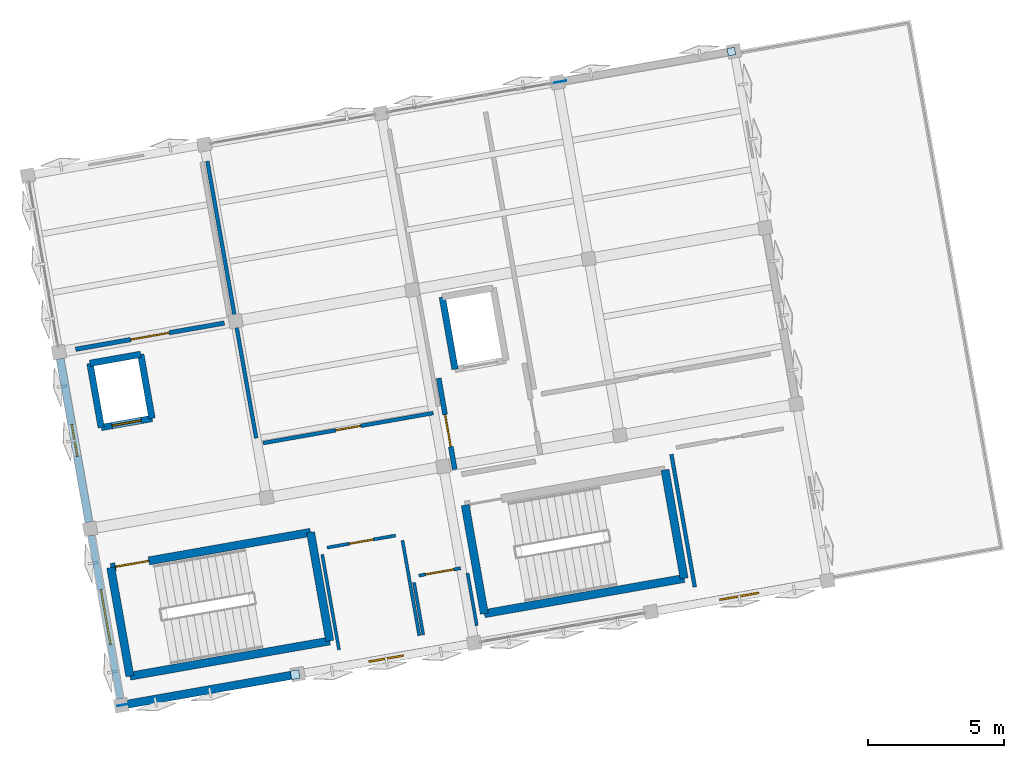
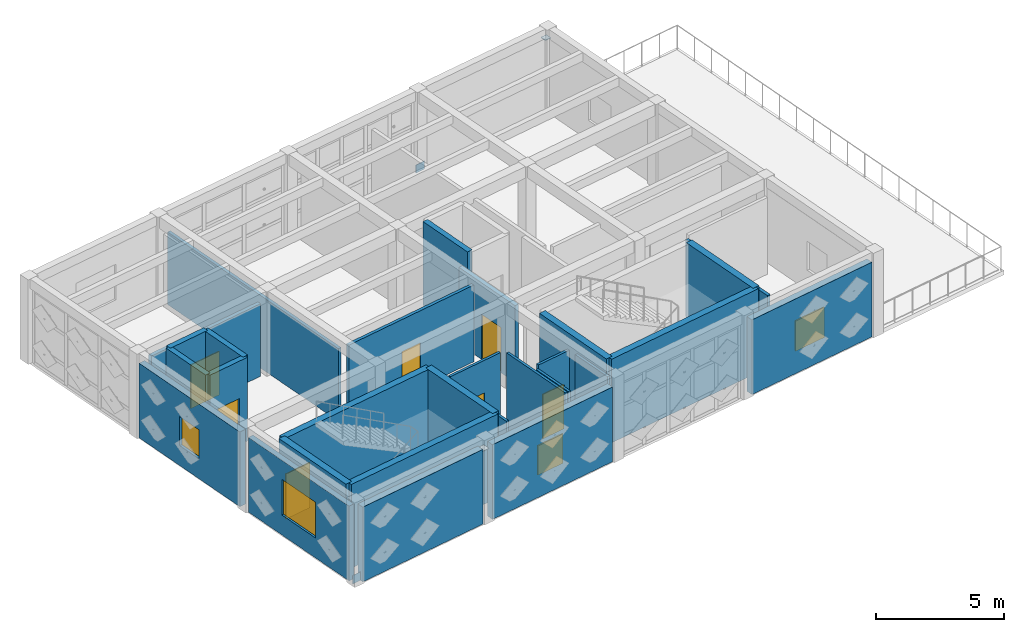
# One storey, part 9 of 13: 28 walls, 7 doors, 4 plates, 4 windows, 11 openings.
"""IFC4 building model written with IfcOpenShell, lengths in metres."""

import ifcopenshell
import ifcopenshell.guid

model = None  # the IFC model being written
_history = None  # IfcOwnerHistory: only IFC2X3 demands one
_inside = {}  # id of a spatial element -> (the spatial element, [elements in it])
_under = {}  # id of a project, library or spatial element -> (it, [spatial elements below it])
_declared = {}  # id of a project -> (the project, [libraries it declares])
_typed = {}  # id of a type object -> (the type object, [elements of that type])
_made_of = {}  # id of a material, layer set ... -> (it, [elements and type objects made of it])


def new_model(schema):
    """Start an empty IFC model of exactly this schema.

    Asked for "IFC4X3", IfcOpenShell would pick the latest addendum, in which some entities
    have other attributes; the version numbers below select the first issue.
    IFC2X3 requires an IfcOwnerHistory on every rooted entity: one is made here for all.
    """
    global model, _history
    if schema == "IFC4X3":
        model = ifcopenshell.file(schema_version=(4, 3, 0, 0))
    else:
        model = ifcopenshell.file(schema=schema)
    _inside.clear()
    _under.clear()
    _declared.clear()
    _typed.clear()
    _made_of.clear()
    _history = None
    if model.schema == "IFC2X3":
        org = make("IfcOrganization", Name="unknown")
        user = make(
            "IfcPersonAndOrganization",
            ThePerson=make("IfcPerson", FamilyName="unknown"),
            TheOrganization=org,
        )
        app = make(
            "IfcApplication",
            ApplicationDeveloper=org,
            Version="unknown",
            ApplicationFullName="unknown",
            ApplicationIdentifier="unknown",
        )
        _history = make(
            "IfcOwnerHistory",
            OwningUser=user,
            OwningApplication=app,
            ChangeAction="ADDED",
            CreationDate=0,
        )
    return model


def make(cls, **values):
    """One entity of the class cls with the attributes given. An attribute that is None is left unset."""
    return model.create_entity(
        cls, **{name: value for name, value in values.items() if value is not None}
    )


def rooted(cls, **values):
    """An entity with a GlobalId (a new one), such as an element, a storey or a relation."""
    return make(cls, GlobalId=ifcopenshell.guid.new(), OwnerHistory=_history, **values)


def si_unit(unit_type, name, prefix=None):
    """IfcSIUnit, for example si_unit("LENGTHUNIT", "METRE", prefix="MILLI")."""
    return make("IfcSIUnit", UnitType=unit_type, Prefix=prefix, Name=name)


def assignment(units):
    """IfcUnitAssignment: the units of a project."""
    return None if units is None else make("IfcUnitAssignment", Units=units)


def point(xyz):
    """IfcCartesianPoint."""
    return None if xyz is None else make("IfcCartesianPoint", Coordinates=xyz)


def direction(xyz):
    """IfcDirection."""
    return None if xyz is None else make("IfcDirection", DirectionRatios=xyz)


def frame(location, z_axis=None, x_axis=None):
    """IfcAxis2Placement3D, a coordinate frame: its origin and axes. An axis left out is left unset."""
    return make(
        "IfcAxis2Placement3D",
        Location=point(location),
        Axis=direction(z_axis),
        RefDirection=direction(x_axis),
    )


def frame_2d(location, x_axis=None):
    """IfcAxis2Placement2D, a coordinate frame in the plane: its origin and x axis."""
    return make(
        "IfcAxis2Placement2D", Location=point(location), RefDirection=direction(x_axis)
    )


def origin():
    """The frame at (0, 0, 0) with its axes left unset."""
    return frame((0.0, 0.0, 0.0))


def origin_2d():
    """The frame at (0, 0) in the plane with its x axis left unset."""
    return frame_2d((0.0, 0.0))


def place(relative_to, where):
    """IfcLocalPlacement: puts the frame where relative to a parent placement (None: the world)."""
    return make(
        "IfcLocalPlacement", PlacementRelTo=relative_to, RelativePlacement=where
    )


def context(
    kind, dimensions, precision=None, world=None, true_north=None, identifier=None
):
    """IfcGeometricRepresentationContext, for example the 3D "Model" context."""
    return make(
        "IfcGeometricRepresentationContext",
        ContextIdentifier=identifier,
        ContextType=kind,
        CoordinateSpaceDimension=dimensions,
        Precision=precision,
        WorldCoordinateSystem=world,
        TrueNorth=true_north,
    )


def subcontext(parent, identifier, kind, view, scale=None):
    """IfcGeometricRepresentationSubContext, for example "Body" below "Model"."""
    return make(
        "IfcGeometricRepresentationSubContext",
        ContextIdentifier=identifier,
        ContextType=kind,
        ParentContext=parent,
        TargetScale=scale,
        TargetView=view,
    )


def project(units=None, contexts=None):
    """IfcProject with its units and contexts."""
    return rooted(
        "IfcProject",
        Name="project",
        RepresentationContexts=contexts,
        UnitsInContext=assignment(units),
    )


def spatial(cls, under=None, at=None, **own):
    """A site, building, storey or space (cls), placed at a placement, below another one or the project."""
    s = rooted(cls, ObjectPlacement=at, **own)
    if under is not None:
        _under.setdefault(under.id(), (under, []))[1].append(s)
    return s


def profile(cls, at=None, kind="AREA", **sizes):
    """A parametric profile (cls). Its sizes go by their IFC names, for example OverallWidth=200.0."""
    return make(cls, ProfileType=kind, Position=at, **sizes)


def rectangle(**sizes):
    """IfcRectangleProfileDef."""
    return profile("IfcRectangleProfileDef", **sizes)


def extrude(swept, where, along, depth):
    """IfcExtrudedAreaSolid: the profile swept, set in the frame where, extruded along a direction by depth."""
    return make(
        "IfcExtrudedAreaSolid",
        SweptArea=swept,
        Position=where,
        ExtrudedDirection=direction(along),
        Depth=depth,
    )


def shape(context_of_items, identifier, shape_type, items):
    """IfcShapeRepresentation: the items that make up one representation, for example the "Body"."""
    return make(
        "IfcShapeRepresentation",
        ContextOfItems=context_of_items,
        RepresentationIdentifier=identifier,
        RepresentationType=shape_type,
        Items=items,
    )


def material(Name=None, Category=None):
    """IfcMaterial."""
    return make("IfcMaterial", Name=Name, Category=Category)


def layer(
    of_material, thickness, ventilated=None, Name=None, Category=None, Priority=None
):
    """IfcMaterialLayer: one layer of a wall or slab, of a material (None: an air gap)."""
    return make(
        "IfcMaterialLayer",
        Material=of_material,
        LayerThickness=thickness,
        IsVentilated=ventilated,
        Name=Name,
        Category=Category,
        Priority=Priority,
    )


def layer_set(layers, Name=None):
    """IfcMaterialLayerSet."""
    return make("IfcMaterialLayerSet", MaterialLayers=layers, LayerSetName=Name)


def made_of(thing, what):
    """Note that an element or type object is made of a material, layer set ...; save() writes the relation."""
    if what is not None:
        _made_of.setdefault(what.id(), (what, []))[1].append(thing)
    return thing


def type_object(cls, material=None, **own):
    """A type object (cls), such as IfcWallType, which elements share."""
    return made_of(rooted(cls, **own), material)


def element(
    cls,
    number,
    at=None,
    inside=None,
    cuts=None,
    type_object=None,
    material=None,
    context=None,
    identifier="Body",
    shape_type=None,
    held_by="IfcProductDefinitionShape",
    body=None,
    shapes=None,
    **own,
):
    """One element of the class cls, such as IfcWall. Its Tag is "e" and its number.

    at: its placement. inside: the storey or other place that contains it. cuts: it is an
    opening in that element (IfcRelVoidsElement). A single representation is given by context,
    identifier, shape_type and body (its items); several are given by shapes. held_by: the class
    of the entity that holds the representations. save() writes the other relations.
    """
    e = rooted(cls, Tag="e%d" % number, ObjectPlacement=at, **own)
    if body is not None:
        shapes = [shape(context, identifier, shape_type, body)]
    if shapes is not None:
        e.Representation = make(held_by, Representations=shapes)
    if inside is not None:
        _inside.setdefault(inside.id(), (inside, []))[1].append(e)
    if cuts is not None:
        rooted(
            "IfcRelVoidsElement", RelatingBuildingElement=cuts, RelatedOpeningElement=e
        )
    if type_object is not None:
        _typed.setdefault(type_object.id(), (type_object, []))[1].append(e)
    return made_of(e, material)


def fill(opening, filler):
    """IfcRelFillsElement: the door or window that sits in an opening."""
    return rooted(
        "IfcRelFillsElement",
        RelatingOpeningElement=opening,
        RelatedBuildingElement=filler,
    )


def aggregate(whole, parts):
    """IfcRelAggregates: a whole, such as a stair, and the parts it consists of."""
    return rooted("IfcRelAggregates", RelatingObject=whole, RelatedObjects=parts)


def save(model, path):
    """Write the relations noted so far, then the file.

    IfcRelAggregates (storeys below a building ...), IfcRelContainedInSpatialStructure (elements
    in a storey), IfcRelDefinesByType, IfcRelAssociatesMaterial and IfcRelDeclares: one each for
    every whole, place, type object, material and project.
    """
    for whole, parts in _under.values():
        aggregate(whole, parts)
    for where, things in _inside.values():
        rooted(
            "IfcRelContainedInSpatialStructure",
            RelatedElements=things,
            RelatingStructure=where,
        )
    for kind, things in _typed.values():
        rooted("IfcRelDefinesByType", RelatedObjects=things, RelatingType=kind)
    for what, things in _made_of.values():
        rooted("IfcRelAssociatesMaterial", RelatedObjects=things, RelatingMaterial=what)
    for by, libraries in _declared.values():
        rooted("IfcRelDeclares", RelatingContext=by, RelatedDefinitions=libraries)
    model.write(path)


model = new_model("IFC4")

# Units and contexts
model_context = context("Model", 3, precision=1e-05, world=origin(), true_north=direction((0.0, 1.0)))
body_context = subcontext(model_context, "Body", "Model", "MODEL_VIEW")
ifc_project = project(units=[si_unit("LENGTHUNIT", "METRE"), si_unit("AREAUNIT", "SQUARE_METRE"), si_unit("VOLUMEUNIT", "CUBIC_METRE"), si_unit("PLANEANGLEUNIT", "RADIAN"), si_unit("MASSUNIT", "GRAM", prefix="KILO")], contexts=[model_context])

# Site, building, storey
site_placement = place(None, origin())
site = spatial("IfcSite", under=ifc_project, at=site_placement, CompositionType="ELEMENT")
building_placement = place(site_placement, origin())
building = spatial("IfcBuilding", under=site, at=building_placement, Name="Kharisveld Research Institute", CompositionType="ELEMENT")
storey_placement = place(building_placement, frame((0.0, 0.0, 45.0)))
storey = spatial("IfcBuildingStorey", under=building, at=storey_placement, Name="L10", CompositionType="ELEMENT", Elevation=45.0)

# Plates
ifc_material_1 = material(Name="Steel S355JR", Category="steel")
ifc_layer_1 = layer(ifc_material_1, 0.01806640625)
ifc_layer_set_1 = layer_set([ifc_layer_1], Name="PL_CAP_B")
plate_type_1 = type_object("IfcPlateType", Name="PL_CAP_B", PredefinedType="SHEET", material=ifc_layer_set_1)
plate_1_placement = place(storey_placement, frame((11.601318359375, 36.138671875, 3.4609375), z_axis=(0.0, 0.0, 1.0), x_axis=(0.984807753012, 0.173648177667, 0.0)))
element("IfcPlate", 1, at=plate_1_placement, inside=storey, type_object=plate_type_1, Name="PLT:V1:L10:CAP_0_0", PredefinedType="SHEET", context=body_context, shape_type="SweptSolid", body=[
    extrude(rectangle(XDim=0.320068359375, YDim=0.320068359375, at=origin_2d()), origin(), (0.0, 0.0, 1.0), 0.01806640625),
])
ifc_material_2 = material(Name="Steel S355JR", Category="steel")
ifc_layer_2 = layer(ifc_material_2, 0.02197265625)
ifc_layer_set_2 = layer_set([ifc_layer_2], Name="PL_CAP_C")
plate_type_2 = type_object("IfcPlateType", Name="PL_CAP_C", PredefinedType="SHEET", material=ifc_layer_set_2)
plate_2_placement = place(storey_placement, frame((27.662109375, 59.076171875, 3.458984375), z_axis=(0.0, 0.0, 1.0), x_axis=(0.984807753012, 0.173648177667, 0.0)))
element("IfcPlate", 2, at=plate_2_placement, inside=storey, type_object=plate_type_2, Name="PLT:V1:L10:CAP_3_3", PredefinedType="SHEET", context=body_context, shape_type="SweptSolid", body=[
    extrude(rectangle(XDim=0.280029296875, YDim=0.280029296875, at=origin_2d()), origin(), (0.0, 0.0, 1.0), 0.02197265625),
])
ifc_material_3 = material(Name="Steel S355JR", Category="steel")
ifc_layer_3 = layer(ifc_material_3, 0.02001953125)
ifc_layer_set_3 = layer_set([ifc_layer_3], Name="PL_GUS_B")
plate_type_3 = type_object("IfcPlateType", Name="PL_GUS_B", PredefinedType="USERDEFINED", material=ifc_layer_set_3)
plate_3_placement = place(storey_placement, frame((5.298583984375, 35.02734375, 0.0), z_axis=(0.0, 0.0, 1.0), x_axis=(0.984807753012, 0.173648177667, 0.0)))
element("IfcPlate", 3, at=plate_3_placement, inside=storey, type_object=plate_type_3, Name="PLT:V1:L10:GUS_0_0", ObjectType="GUSSET PLATE", PredefinedType="USERDEFINED", context=body_context, shape_type="SweptSolid", body=[
    extrude(rectangle(XDim=0.47998046875, YDim=0.02001953125, at=origin_2d()), origin(), (0.0, 0.0, 1.0), 0.39990234375),
])
ifc_material_4 = material(Name="Steel S355JR", Category="steel")
ifc_layer_4 = layer(ifc_material_4, 0.02392578125)
ifc_layer_set_4 = layer_set([ifc_layer_4], Name="PL_GUS_C")
plate_type_4 = type_object("IfcPlateType", Name="PL_GUS_C", PredefinedType="USERDEFINED", material=ifc_layer_set_4)
plate_4_placement = place(storey_placement, frame((21.359375, 57.96484375, 0.010009765625), z_axis=(0.0, 0.0, 1.0), x_axis=(0.984807753012, 0.173648177667, 0.0)))
element("IfcPlate", 4, at=plate_4_placement, inside=storey, type_object=plate_type_4, Name="PLT:V1:L10:GUS_3_3", ObjectType="GUSSET PLATE", PredefinedType="USERDEFINED", context=body_context, shape_type="SweptSolid", body=[
    extrude(rectangle(XDim=0.43994140625, YDim=0.02392578125, at=origin_2d()), origin(), (0.0, 0.0, 1.0), 0.3798828125),
])

# Walls
ifc_material_5 = material(Name="Concrete C40/50", Category="concrete")
ifc_layer_5 = layer(ifc_material_5, 0.239990234375)
ifc_layer_set_5 = layer_set([ifc_layer_5], Name="WL_CORE_240")
wall_type_1 = type_object("IfcWallType", Name="WL_CORE_240", PredefinedType="SHEAR", material=ifc_layer_set_5)
wall_1_placement = place(storey_placement, frame((17.48828125, 47.3818359375, 0.0), z_axis=(0.0, 0.0, 1.0), x_axis=(-0.173615102578, 0.98481358447, 0.0)))
element("IfcWall", 5, at=wall_1_placement, inside=storey, type_object=wall_type_1, Name="WL:LFT:FFL-01:L10:W", PredefinedType="SHEAR", context=body_context, shape_type="SweptSolid", body=[
    extrude(rectangle(XDim=2.699951171875, YDim=0.239990234375, at=frame_2d((1.35009765625, 0.0))), origin(), (0.0, 0.0, 1.0), 3.97998046875),
])
wall_2_placement = place(storey_placement, frame((4.462890625, 45.2373046875, 0.0), z_axis=(0.0, 0.0, 1.0), x_axis=(-0.173646056486, 0.984808127031, 0.0)))
element("IfcWall", 6, at=wall_2_placement, inside=storey, type_object=wall_type_1, Name="WL:LFT:PL-01:L10:W", PredefinedType="SHEAR", context=body_context, shape_type="SweptSolid", body=[
    extrude(rectangle(XDim=2.39990234375, YDim=0.239990234375, at=frame_2d((1.199951171875, 0.0))), origin(), (0.0, 0.0, 1.0), 3.97998046875),
])
wall_3_placement = place(storey_placement, frame((4.046142578125, 47.600830078125, 0.0), z_axis=(0.0, 0.0, 1.0), x_axis=(0.984793905749, 0.173726691098, 0.0)))
element("IfcWall", 7, at=wall_3_placement, inside=storey, type_object=wall_type_1, Name="WL:LFT:PL-01:L10:N", PredefinedType="SHEAR", context=body_context, shape_type="SweptSolid", body=[
    extrude(rectangle(XDim=1.89990234375, YDim=0.239990234375, at=frame_2d((0.949951171875, 0.0))), origin(), (0.0, 0.0, 1.0), 3.97998046875),
])
wall_4_placement = place(storey_placement, frame((5.917236328125, 47.930908203125, 0.0), z_axis=(0.0, 0.0, 1.0), x_axis=(0.173646056486, -0.984808127031, 0.0)))
element("IfcWall", 8, at=wall_4_placement, inside=storey, type_object=wall_type_1, Name="WL:LFT:PL-01:L10:E", PredefinedType="SHEAR", context=body_context, shape_type="SweptSolid", body=[
    extrude(rectangle(XDim=2.39990234375, YDim=0.239990234375, at=frame_2d((1.199951171875, 0.0))), origin(), (0.0, 0.0, 1.0), 3.97998046875),
])

# Wall, opening, door
wall_5_placement = place(storey_placement, frame((6.333984375, 45.5673828125, 0.0), z_axis=(0.0, 0.0, 1.0), x_axis=(-0.984793905749, -0.173726691098, 0.0)))
wall_5 = element("IfcWall", 9, at=wall_5_placement, inside=storey, type_object=wall_type_1, Name="WL:LFT:PL-01:L10:S", PredefinedType="SHEAR", context=body_context, shape_type="SweptSolid", body=[
    extrude(rectangle(XDim=1.89990234375, YDim=0.239990234375, at=frame_2d((0.949951171875, 0.0))), origin(), (0.0, 0.0, 1.0), 3.97998046875),
])
opening_1_placement = place(wall_5_placement, frame((0.39990234375, 0.0, 0.0)))
opening_1 = element("IfcOpeningElement", 10, at=opening_1_placement, cuts=wall_5, Name="Opening LD-01", PredefinedType="OPENING", context=body_context, shape_type="SweptSolid", body=[
    extrude(rectangle(XDim=1.10009765625, YDim=2.199951171875, at=frame_2d((0.550048828125, 1.10009765625))), frame((0.0, 0.1201171875, 0.0), z_axis=(0.0, -1.0, 0.0), x_axis=(1.0, 0.0, 0.0)), (0.0, 0.0, 1.0), 0.239990234375),
])
ifc_material_6 = material(Name="Flush Painted Hardwood and Anodised Aluminium", Category="wood")
door_type_1 = type_object("IfcDoorType", Name="DR_LFT_110", OperationType="SLIDING_TO_LEFT", PredefinedType="DOOR", material=ifc_material_6)
door_1_placement = place(opening_1_placement, origin())
door_1 = element("IfcDoor", 11, at=door_1_placement, inside=storey, type_object=door_type_1, Name="PL-01 Lift Landing Door L10", OperationType="SLIDING_TO_LEFT", OverallHeight=2.199951171875, OverallWidth=1.10009765625, PredefinedType="DOOR", context=body_context, shape_type="SweptSolid", body=[
    extrude(rectangle(XDim=1.10009765625, YDim=2.199951171875, at=frame_2d((0.550048828125, 1.10009765625))), frame((0.0, 0.02490234375, 0.0), z_axis=(0.0, -1.0, 0.0), x_axis=(1.0, 0.0, 0.0)), (0.0, 0.0, 1.0), 0.050048828125),
])
fill(opening_1, door_1)

# Wall
ifc_material_7 = material(Name="Concrete C40/50", Category="concrete")
ifc_layer_6 = layer(ifc_material_7, 0.300048828125)
ifc_layer_set_6 = layer_set([ifc_layer_6], Name="WL_CORE_300")
wall_type_2 = type_object("IfcWallType", Name="WL_CORE_300", PredefinedType="SHEAR", material=ifc_layer_set_6)
wall_6_placement = place(storey_placement, frame((5.518798828125, 36.08154296875, 0.0), z_axis=(0.0, 0.0, 1.0), x_axis=(-0.173665267602, 0.984804739443, 0.0)))
element("IfcWall", 12, at=wall_6_placement, inside=storey, type_object=wall_type_2, Name="WL:STR:ST1:L10:W", PredefinedType="SHEAR", context=body_context, shape_type="SweptSolid", body=[
    extrude(rectangle(XDim=4.06005859375, YDim=0.300048828125, at=frame_2d((2.030029296875, 0.0))), origin(), (0.0, 0.0, 1.0), 3.97998046875),
])

# Wall, opening, door
wall_7_placement = place(storey_placement, frame((4.813720703125, 40.079833984375, 0.0), z_axis=(0.0, 0.0, 1.0), x_axis=(0.984802636214, 0.173677193974, 0.0)))
wall_7 = element("IfcWall", 13, at=wall_7_placement, inside=storey, type_object=wall_type_2, Name="WL:STR:ST1:L10:N", PredefinedType="SHEAR", context=body_context, shape_type="SweptSolid", body=[
    extrude(rectangle(XDim=7.469970703125, YDim=0.300048828125, at=frame_2d((3.73486328125, 0.0))), origin(), (0.0, 0.0, 1.0), 3.97998046875),
])
opening_2_placement = place(wall_7_placement, frame((0.179931640625, 0.0, 0.0)))
opening_2 = element("IfcOpeningElement", 14, at=opening_2_placement, cuts=wall_7, Name="Opening DS-012", PredefinedType="OPENING", context=body_context, shape_type="SweptSolid", body=[
    extrude(rectangle(XDim=1.239990234375, YDim=2.14990234375, at=frame_2d((0.6201171875, 1.074951171875))), frame((0.0, 0.14990234375, 0.0), z_axis=(0.0, -1.0, 0.0), x_axis=(1.0, 0.0, 0.0)), (0.0, 0.0, 1.0), 0.300048828125),
])
ifc_material_8 = material(Name="Flush Painted Hardwood and Anodised Aluminium", Category="wood")
door_type_2 = type_object("IfcDoorType", Name="DR_FD60_124", OperationType="NOTDEFINED", PredefinedType="DOOR", material=ifc_material_8)
door_2_placement = place(opening_2_placement, origin())
door_2 = element("IfcDoor", 15, at=door_2_placement, inside=storey, type_object=door_type_2, Name="DR:STR:ST1:L10", OperationType="SINGLE_SWING_LEFT", OverallHeight=2.14990234375, OverallWidth=1.239990234375, PredefinedType="DOOR", context=body_context, shape_type="SweptSolid", body=[
    extrude(rectangle(XDim=1.239990234375, YDim=2.14990234375, at=frame_2d((0.6201171875, 1.074951171875))), frame((0.0, 0.02490234375, 0.0), z_axis=(0.0, -1.0, 0.0), x_axis=(1.0, 0.0, 0.0)), (0.0, 0.0, 1.0), 0.050048828125),
])
fill(opening_2, door_2)

# Walls
wall_8_placement = place(storey_placement, frame((12.170166015625, 41.377197265625, 0.0), z_axis=(0.0, 0.0, 1.0), x_axis=(0.173654983803, -0.984806552883, 0.0)))
element("IfcWall", 16, at=wall_8_placement, inside=storey, type_object=wall_type_2, Name="WL:STR:ST1:L10:E", PredefinedType="SHEAR", context=body_context, shape_type="SweptSolid", body=[
    extrude(rectangle(XDim=4.060302734375, YDim=0.300048828125, at=frame_2d((2.0302734375, 0.0))), origin(), (0.0, 0.0, 1.0), 3.97998046875),
])
wall_9_placement = place(storey_placement, frame((12.875244140625, 37.378662109375, 0.0), z_axis=(0.0, 0.0, 1.0), x_axis=(-0.984808225754, -0.173645496596, 0.0)))
element("IfcWall", 17, at=wall_9_placement, inside=storey, type_object=wall_type_2, Name="WL:STR:ST1:L10:S", PredefinedType="SHEAR", context=body_context, shape_type="SweptSolid", body=[
    extrude(rectangle(XDim=7.469970703125, YDim=0.300048828125, at=frame_2d((3.73486328125, 0.0))), origin(), (0.0, 0.0, 1.0), 3.97998046875),
])
for number, where, z_axis, x_axis, name in (
    (18, (18.5673828125, 38.382568359375, 0.0), (0.0, 0.0, 1.0), (-0.173606946886, 0.984815022221, 0.0), "WL:STR:ST2:L10:W"),
    (19, (25.218994140625, 43.677978515625, 0.0), (0.0, 0.0, 1.0), (0.173665267602, -0.984804739443, 0.0), "WL:STR:ST2:L10:E"),
):
    element("IfcWall", number, at=place(storey_placement, frame(where, z_axis=z_axis, x_axis=x_axis)), inside=storey, type_object=wall_type_2, Name=name, PredefinedType="SHEAR", context=body_context, shape_type="SweptSolid", body=[
        extrude(rectangle(XDim=4.06005859375, YDim=0.300048828125, at=frame_2d((2.030029296875, 0.0))), origin(), (0.0, 0.0, 1.0), 3.97998046875),
    ])
wall_10_placement = place(storey_placement, frame((25.924072265625, 39.6796875, 0.0), z_axis=(0.0, 0.0, 1.0), x_axis=(-0.984809211193, -0.173639907711, 0.0)))
element("IfcWall", 20, at=wall_10_placement, inside=storey, type_object=wall_type_2, Name="WL:STR:ST2:L10:S", PredefinedType="SHEAR", context=body_context, shape_type="SweptSolid", body=[
    extrude(rectangle(XDim=7.47021484375, YDim=0.300048828125, at=frame_2d((3.735107421875, 0.0))), origin(), (0.0, 0.0, 1.0), 3.97998046875),
])

# Wall, opening, window
ifc_material_9 = material(Name="Lightweight Acoustic Spandrel", Category="mineral")
ifc_layer_7 = layer(ifc_material_9, 0.2451171875)
ifc_layer_set_7 = layer_set([ifc_layer_7], Name="WL_EXT_245")
wall_type_3 = type_object("IfcWallType", Name="WL_EXT_245", PredefinedType="STANDARD", material=ifc_layer_set_7)
wall_11_placement = place(storey_placement, frame((5.157470703125, 35.251220703125, 0.0), z_axis=(0.0, 0.0, 1.0), x_axis=(-0.173650847905, 0.984807282173, 0.0)))
wall_11 = element("IfcWall", 21, at=wall_11_placement, inside=storey, type_object=wall_type_3, Name="WL:V1:L10:W0", PredefinedType="STANDARD", context=body_context, shape_type="SweptSolid", body=[
    extrude(rectangle(XDim=6.110107421875, YDim=0.2451171875, at=frame_2d((3.05517578125, 0.0))), origin(), (0.0, 0.0, 1.0), 3.554931640625),
])
opening_3_placement = place(wall_11_placement, frame((2.030029296875, 0.0, 0.949951171875)))
opening_3 = element("IfcOpeningElement", 22, at=opening_3_placement, cuts=wall_11, Name="Opening WN-20", PredefinedType="OPENING", context=body_context, shape_type="SweptSolid", body=[
    extrude(rectangle(XDim=2.050048828125, YDim=1.699951171875, at=frame_2d((1.02490234375, 0.85009765625))), frame((0.0, 0.12255859375, 0.0), z_axis=(0.0, -1.0, 0.0), x_axis=(1.0, 0.0, 0.0)), (0.0, 0.0, 1.0), 0.2451171875),
])
ifc_material_10 = material(Name="Low-E Double Glazing", Category="glass")
window_type_1 = type_object("IfcWindowType", Name="WN_20", PartitioningType="DOUBLE_PANEL_VERTICAL", PredefinedType="WINDOW", material=ifc_material_10)
window_1_placement = place(opening_3_placement, origin())
window_1 = element("IfcWindow", 23, at=window_1_placement, inside=storey, type_object=window_type_1, Name="WN:V1:L10:W0", OverallHeight=1.699951171875, OverallWidth=2.050048828125, PartitioningType="SINGLE_PANEL", PredefinedType="WINDOW", context=body_context, shape_type="SweptSolid", body=[
    extrude(rectangle(XDim=2.050048828125, YDim=1.699951171875, at=frame_2d((1.02490234375, 0.85009765625))), frame((0.0, 0.030029296875, 0.0), z_axis=(0.0, -1.0, 0.0), x_axis=(1.0, 0.0, 0.0)), (0.0, 0.0, 1.0), 0.06005859375),
])
fill(opening_3, window_1)

ifc_material_11 = material(Name="Precast Concrete C40/50 Thermal Wall", Category="concrete")
ifc_layer_8 = layer(ifc_material_11, 0.2900390625)
ifc_layer_set_8 = layer_set([ifc_layer_8], Name="WL_EXT_290")
wall_type_4 = type_object("IfcWallType", Name="WL_EXT_290", PredefinedType="STANDARD", material=ifc_layer_set_8)
wall_12_placement = place(storey_placement, frame((4.011474609375, 41.7509765625, 0.0), z_axis=(0.0, 0.0, 1.0), x_axis=(-0.173657681232, 0.98480607723, 0.0)))
wall_12 = element("IfcWall", 24, at=wall_12_placement, inside=storey, type_object=wall_type_4, Name="WL:V1:L10:W1", PredefinedType="STANDARD", context=body_context, shape_type="SweptSolid", body=[
    extrude(rectangle(XDim=6.10986328125, YDim=0.2900390625, at=frame_2d((3.054931640625, 0.0))), origin(), (0.0, 0.0, 1.0), 3.554931640625),
])
opening_4_placement = place(wall_12_placement, frame((2.4599609375, 0.0, 0.949951171875)))
opening_4 = element("IfcOpeningElement", 25, at=opening_4_placement, cuts=wall_12, Name="Opening WN-21", PredefinedType="OPENING", context=body_context, shape_type="SweptSolid", body=[
    extrude(rectangle(XDim=1.18994140625, YDim=1.3798828125, at=frame_2d((0.594970703125, 0.68994140625))), frame((0.0, 0.14501953125, 0.0), z_axis=(0.0, -1.0, 0.0), x_axis=(1.0, 0.0, 0.0)), (0.0, 0.0, 1.0), 0.2900390625),
])
ifc_material_12 = material(Name="Low-E Double Glazing", Category="glass")
window_type_2 = type_object("IfcWindowType", Name="WN_21", PartitioningType="DOUBLE_PANEL_VERTICAL", PredefinedType="WINDOW", material=ifc_material_12)
window_2_placement = place(opening_4_placement, origin())
window_2 = element("IfcWindow", 26, at=window_2_placement, inside=storey, type_object=window_type_2, Name="WN:V1:L10:W1", OverallHeight=1.3798828125, OverallWidth=1.18994140625, PartitioningType="SINGLE_PANEL", PredefinedType="WINDOW", context=body_context, shape_type="SweptSolid", body=[
    extrude(rectangle(XDim=1.18994140625, YDim=1.3798828125, at=frame_2d((0.594970703125, 0.68994140625))), frame((0.0, 0.030029296875, 0.0), z_axis=(0.0, -1.0, 0.0), x_axis=(1.0, 0.0, 0.0)), (0.0, 0.0, 1.0), 0.06005859375),
])
fill(opening_4, window_2)

ifc_material_13 = material(Name="Precast Concrete C40/50 Ochre Panel", Category="concrete")
ifc_layer_9 = layer(ifc_material_13, 0.304931640625)
ifc_layer_set_9 = layer_set([ifc_layer_9], Name="WL_EXT_305")
wall_type_5 = type_object("IfcWallType", Name="WL_EXT_305", PredefinedType="STANDARD", material=ifc_layer_set_9)
wall_13_placement = place(storey_placement, frame((30.957763671875, 39.5517578125, 0.0), z_axis=(0.0, 0.0, 1.0), x_axis=(-0.984807282173, -0.173650847905, 0.0)))
wall_13 = element("IfcWall", 27, at=wall_13_placement, inside=storey, type_object=wall_type_5, Name="WL:V1:L10:S4", PredefinedType="STANDARD", context=body_context, shape_type="SweptSolid", body=[
    extrude(rectangle(XDim=6.110107421875, YDim=0.304931640625, at=frame_2d((3.05517578125, 0.0))), origin(), (0.0, 0.0, 1.0), 3.554931640625),
])
opening_5_placement = place(wall_13_placement, frame((2.324951171875, 0.0, 0.949951171875)))
opening_5 = element("IfcOpeningElement", 28, at=opening_5_placement, cuts=wall_13, Name="Opening WN-24", PredefinedType="OPENING", context=body_context, shape_type="SweptSolid", body=[
    extrude(rectangle(XDim=1.4599609375, YDim=1.43994140625, at=frame_2d((0.72998046875, 0.719970703125))), frame((0.0, 0.15234375, 0.0), z_axis=(0.0, -1.0, 0.0), x_axis=(1.0, 0.0, 0.0)), (0.0, 0.0, 1.0), 0.304931640625),
])
ifc_material_14 = material(Name="Low-E Double Glazing", Category="glass")
window_type_3 = type_object("IfcWindowType", Name="WN_24", PartitioningType="DOUBLE_PANEL_VERTICAL", PredefinedType="WINDOW", material=ifc_material_14)
window_3_placement = place(opening_5_placement, origin())
window_3 = element("IfcWindow", 29, at=window_3_placement, inside=storey, type_object=window_type_3, Name="WN:V1:L10:S4", OverallHeight=1.43994140625, OverallWidth=1.4599609375, PartitioningType="SINGLE_PANEL", PredefinedType="WINDOW", context=body_context, shape_type="SweptSolid", body=[
    extrude(rectangle(XDim=1.4599609375, YDim=1.43994140625, at=frame_2d((0.72998046875, 0.719970703125))), frame((0.0, 0.030029296875, 0.0), z_axis=(0.0, -1.0, 0.0), x_axis=(1.0, 0.0, 0.0)), (0.0, 0.0, 1.0), 0.06005859375),
])
fill(opening_5, window_3)

wall_14_placement = place(storey_placement, frame((17.958251953125, 37.259521484375, 0.0), z_axis=(0.0, 0.0, 1.0), x_axis=(-0.98481411452, -0.173612095898, 0.0)))
wall_14 = element("IfcWall", 30, at=wall_14_placement, inside=storey, type_object=wall_type_5, Name="WL:V1:L10:S2", PredefinedType="STANDARD", context=body_context, shape_type="SweptSolid", body=[
    extrude(rectangle(XDim=6.110107421875, YDim=0.304931640625, at=frame_2d((3.05517578125, 0.0))), origin(), (0.0, 0.0, 1.0), 3.554931640625),
])
opening_6_placement = place(wall_14_placement, frame((2.4150390625, 0.0, 0.949951171875)))
opening_6 = element("IfcOpeningElement", 31, at=opening_6_placement, cuts=wall_14, Name="Opening WN-22", PredefinedType="OPENING", context=body_context, shape_type="SweptSolid", body=[
    extrude(rectangle(XDim=1.280029296875, YDim=1.39990234375, at=frame_2d((0.64013671875, 0.699951171875))), frame((0.0, 0.15234375, 0.0), z_axis=(0.0, -1.0, 0.0), x_axis=(1.0, 0.0, 0.0)), (0.0, 0.0, 1.0), 0.304931640625),
])
ifc_material_15 = material(Name="Low-E Double Glazing", Category="glass")
window_type_4 = type_object("IfcWindowType", Name="WN_22", PartitioningType="DOUBLE_PANEL_VERTICAL", PredefinedType="WINDOW", material=ifc_material_15)
window_4_placement = place(opening_6_placement, origin())
window_4 = element("IfcWindow", 32, at=window_4_placement, inside=storey, type_object=window_type_4, Name="WN:V1:L10:S2", OverallHeight=1.39990234375, OverallWidth=1.280029296875, PartitioningType="SINGLE_PANEL", PredefinedType="WINDOW", context=body_context, shape_type="SweptSolid", body=[
    extrude(rectangle(XDim=1.280029296875, YDim=1.39990234375, at=frame_2d((0.64013671875, 0.699951171875))), frame((0.0, 0.030029296875, 0.0), z_axis=(0.0, -1.0, 0.0), x_axis=(1.0, 0.0, 0.0)), (0.0, 0.0, 1.0), 0.06005859375),
])
fill(opening_6, window_4)

# Wall
wall_15_placement = place(storey_placement, frame((11.45849609375, 36.113525390625, 0.0), z_axis=(0.0, 0.0, 1.0), x_axis=(-0.984807282173, -0.173650847905, 0.0)))
element("IfcWall", 33, at=wall_15_placement, inside=storey, type_object=wall_type_5, Name="WL:V1:L10:S1", PredefinedType="STANDARD", context=body_context, shape_type="SweptSolid", body=[
    extrude(rectangle(XDim=6.110107421875, YDim=0.304931640625, at=frame_2d((3.05517578125, 0.0))), origin(), (0.0, 0.0, 1.0), 3.554931640625),
])

# Wall, opening, door
ifc_material_16 = material(Name="Acoustic Drywall Partition", Category="mineral")
ifc_layer_10 = layer(ifc_material_16, 0.1650390625)
ifc_layer_set_10 = layer_set([ifc_layer_10], Name="WL_LAB_165")
wall_type_6 = type_object("IfcWallType", Name="WL_LAB_165", PredefinedType="PARTITIONING", material=ifc_layer_set_10)
wall_16_placement = place(storey_placement, frame((3.518310546875, 48.1171875, 0.0), z_axis=(0.0, 0.0, 1.0), x_axis=(0.984812720019, 0.173620006017, 0.0)))
wall_16 = element("IfcWall", 34, at=wall_16_placement, inside=storey, type_object=wall_type_6, Name="WL:RM:V1:L10:NW10:S", PredefinedType="PARTITIONING", context=body_context, shape_type="SweptSolid", body=[
    extrude(rectangle(XDim=5.56005859375, YDim=0.1650390625, at=frame_2d((2.780029296875, 0.0))), origin(), (0.0, 0.0, 1.0), 3.455078125),
])
opening_7_placement = place(wall_16_placement, frame((2.054931640625, 0.0, 0.0)))
opening_7 = element("IfcOpeningElement", 35, at=opening_7_placement, cuts=wall_16, Name="Opening DI-163", PredefinedType="OPENING", context=body_context, shape_type="SweptSolid", body=[
    extrude(rectangle(XDim=1.449951171875, YDim=2.080078125, at=frame_2d((0.72509765625, 1.0400390625))), frame((0.0, 0.08251953125, 0.0), z_axis=(0.0, -1.0, 0.0), x_axis=(1.0, 0.0, 0.0)), (0.0, 0.0, 1.0), 0.1650390625),
])
ifc_material_17 = material(Name="Flush Painted Hardwood and Anodised Aluminium", Category="wood")
door_type_3 = type_object("IfcDoorType", Name="DR_VAR_19", OperationType="NOTDEFINED", PredefinedType="DOOR", material=ifc_material_17)
door_3_placement = place(opening_7_placement, origin())
door_3 = element("IfcDoor", 36, at=door_3_placement, inside=storey, type_object=door_type_3, Name="DR:RM:V1:L10:NW10:S", OperationType="SINGLE_SWING_RIGHT", OverallHeight=2.080078125, OverallWidth=1.449951171875, PredefinedType="DOOR", context=body_context, shape_type="SweptSolid", body=[
    extrude(rectangle(XDim=1.449951171875, YDim=2.080078125, at=frame_2d((0.72509765625, 1.0400390625))), frame((0.0, 0.02490234375, 0.0), z_axis=(0.0, -1.0, 0.0), x_axis=(1.0, 0.0, 0.0)), (0.0, 0.0, 1.0), 0.050048828125),
])
fill(opening_7, door_3)

ifc_material_18 = material(Name="Masonry Blockwork", Category="masonry")
ifc_layer_11 = layer(ifc_material_18, 0.18505859375)
ifc_layer_set_11 = layer_set([ifc_layer_11], Name="WL_LOB_185")
wall_type_7 = type_object("IfcWallType", Name="WL_LOB_185", PredefinedType="SOLIDWALL", material=ifc_layer_set_11)
wall_17_placement = place(storey_placement, frame((16.886474609375, 47.05224609375, 0.0), z_axis=(0.0, 0.0, 1.0), x_axis=(0.173621956536, -0.984812376145, 0.0)))
wall_17 = element("IfcWall", 37, at=wall_17_placement, inside=storey, type_object=wall_type_7, Name="WL:RM:V1:L10:FFL:W", PredefinedType="SOLIDWALL", context=body_context, shape_type="SweptSolid", body=[
    extrude(rectangle(XDim=3.409912109375, YDim=0.18505859375, at=frame_2d((1.705078125, 0.0))), origin(), (0.0, 0.0, 1.0), 3.64990234375),
])
opening_8_placement = place(wall_17_placement, frame((1.360107421875, 0.0, 0.0)))
opening_8 = element("IfcOpeningElement", 38, at=opening_8_placement, cuts=wall_17, Name="Opening DI-160", PredefinedType="OPENING", context=body_context, shape_type="SweptSolid", body=[
    extrude(rectangle(XDim=1.199951171875, YDim=2.14990234375, at=frame_2d((0.60009765625, 1.074951171875))), frame((0.0, 0.092529296875, 0.0), z_axis=(0.0, -1.0, 0.0), x_axis=(1.0, 0.0, 0.0)), (0.0, 0.0, 1.0), 0.18505859375),
])
ifc_material_19 = material(Name="Flush Painted Hardwood and Anodised Aluminium", Category="wood")
door_type_4 = type_object("IfcDoorType", Name="DR_FD120_120", OperationType="NOTDEFINED", PredefinedType="DOOR", material=ifc_material_19)
door_4_placement = place(opening_8_placement, origin())
door_4 = element("IfcDoor", 39, at=door_4_placement, inside=storey, type_object=door_type_4, Name="DR:RM:V1:L10:FFL:W", OperationType="SINGLE_SWING_LEFT", OverallHeight=2.14990234375, OverallWidth=1.199951171875, PredefinedType="DOOR", context=body_context, shape_type="SweptSolid", body=[
    extrude(rectangle(XDim=1.199951171875, YDim=2.14990234375, at=frame_2d((0.60009765625, 1.074951171875))), frame((0.0, 0.02490234375, 0.0), z_axis=(0.0, -1.0, 0.0), x_axis=(1.0, 0.0, 0.0)), (0.0, 0.0, 1.0), 0.050048828125),
])
fill(opening_8, door_4)

ifc_material_20 = material(Name="Insulated Stud Partition", Category="mineral")
ifc_layer_12 = layer(ifc_material_20, 0.139892578125)
ifc_layer_set_12 = layer_set([ifc_layer_12], Name="WL_OFF_140")
wall_type_8 = type_object("IfcWallType", Name="WL_OFF_140", PredefinedType="PARTITIONING", material=ifc_layer_set_12)
wall_18_placement = place(storey_placement, frame((10.423095703125, 44.66357421875, 0.0), z_axis=(0.0, 0.0, 1.0), x_axis=(0.984804420334, 0.173667077165, 0.0)))
wall_18 = element("IfcWall", 40, at=wall_18_placement, inside=storey, type_object=wall_type_8, Name="WL:RM:V1:L10:DIR:S", PredefinedType="PARTITIONING", context=body_context, shape_type="SweptSolid", body=[
    extrude(rectangle(XDim=6.35986328125, YDim=0.139892578125, at=frame_2d((3.179931640625, 0.0))), origin(), (0.0, 0.0, 1.0), 3.64990234375),
])
opening_9_placement = place(wall_18_placement, frame((2.7099609375, 0.0, 0.0)))
opening_9 = element("IfcOpeningElement", 41, at=opening_9_placement, cuts=wall_18, Name="Opening DI-164", PredefinedType="OPENING", context=body_context, shape_type="SweptSolid", body=[
    extrude(rectangle(XDim=0.93994140625, YDim=2.1201171875, at=frame_2d((0.469970703125, 1.06005859375))), frame((0.0, 0.06982421875, 0.0), z_axis=(0.0, -1.0, 0.0), x_axis=(1.0, 0.0, 0.0)), (0.0, 0.0, 1.0), 0.139892578125),
])
ifc_material_21 = material(Name="Flush Painted Hardwood and Anodised Aluminium", Category="wood")
door_type_5 = type_object("IfcDoorType", Name="DR_OFF_094", OperationType="NOTDEFINED", PredefinedType="DOOR", material=ifc_material_21)
door_5_placement = place(opening_9_placement, origin())
door_5 = element("IfcDoor", 42, at=door_5_placement, inside=storey, type_object=door_type_5, Name="DR:RM:V1:L10:DIR:S", OperationType="SINGLE_SWING_LEFT", OverallHeight=2.1201171875, OverallWidth=0.93994140625, PredefinedType="DOOR", context=body_context, shape_type="SweptSolid", body=[
    extrude(rectangle(XDim=0.93994140625, YDim=2.1201171875, at=frame_2d((0.469970703125, 1.06005859375))), frame((0.0, 0.02490234375, 0.0), z_axis=(0.0, -1.0, 0.0), x_axis=(1.0, 0.0, 0.0)), (0.0, 0.0, 1.0), 0.050048828125),
])
fill(opening_9, door_5)

# Walls
wall_19_placement = place(storey_placement, frame((8.369140625, 55.044677734375, 0.0), z_axis=(0.0, 0.0, 1.0), x_axis=(0.173654930775, -0.984806562233, 0.0)))
element("IfcWall", 43, at=wall_19_placement, inside=storey, type_object=wall_type_8, Name="WL:RM:V1:L10:DIR:W", PredefinedType="PARTITIONING", context=body_context, shape_type="SweptSolid", body=[
    extrude(rectangle(XDim=10.360107421875, YDim=0.139892578125, at=frame_2d((5.18017578125, 0.0))), origin(), (0.0, 0.0, 1.0), 3.455078125),
])
wall_20_placement = place(storey_placement, frame((25.45361328125, 44.247314453125, 0.0), z_axis=(0.0, 0.0, 1.0), x_axis=(0.173658971256, -0.98480584975, 0.0)))
element("IfcWall", 44, at=wall_20_placement, inside=storey, type_object=wall_type_8, Name="WL:RM:V1:L10:WU10:W", PredefinedType="PARTITIONING", context=body_context, shape_type="SweptSolid", body=[
    extrude(rectangle(XDim=4.9599609375, YDim=0.139892578125, at=frame_2d((2.47998046875, 0.0))), origin(), (0.0, 0.0, 1.0), 3.64990234375),
])
ifc_material_22 = material(Name="Moisture-Resistant Partition", Category="mineral")
ifc_layer_13 = layer(ifc_material_22, 0.114990234375)
ifc_layer_set_13 = layer_set([ifc_layer_13], Name="WL_WC_115")
wall_type_9 = type_object("IfcWallType", Name="WL_WC_115", PredefinedType="PARTITIONING", material=ifc_layer_set_13)
wall_21_placement = place(storey_placement, frame((16.17138671875, 37.57421875, 0.0), z_axis=(0.0, 0.0, 1.0), x_axis=(-0.173644490041, 0.984808403233, 0.0)))
element("IfcWall", 45, at=wall_21_placement, inside=storey, type_object=wall_type_9, Name="WL:RM:V1:L10:WCM:E", PredefinedType="PARTITIONING", context=body_context, shape_type="SweptSolid", body=[
    extrude(rectangle(XDim=3.56005859375, YDim=0.114990234375, at=frame_2d((1.780029296875, 0.0))), origin(), (0.0, 0.0, 1.0), 3.64990234375),
])

# Wall, opening, door
wall_22_placement = place(storey_placement, frame((15.29833984375, 41.258544921875, 0.0), z_axis=(0.0, 0.0, 1.0), x_axis=(-0.984803714572, -0.17367107924, 0.0)))
wall_22 = element("IfcWall", 46, at=wall_22_placement, inside=storey, type_object=wall_type_9, Name="WL:RM:V1:L10:WCM:N", PredefinedType="PARTITIONING", context=body_context, shape_type="SweptSolid", body=[
    extrude(rectangle(XDim=2.559814453125, YDim=0.114990234375, at=frame_2d((1.27978515625, 0.0))), origin(), (0.0, 0.0, 1.0), 3.64990234375),
])
opening_10_placement = place(wall_22_placement, frame((0.830078125, 0.0, 0.0)))
opening_10 = element("IfcOpeningElement", 47, at=opening_10_placement, cuts=wall_22, Name="Opening DI-161", PredefinedType="OPENING", context=body_context, shape_type="SweptSolid", body=[
    extrude(rectangle(XDim=0.89990234375, YDim=2.10009765625, at=frame_2d((0.449951171875, 1.050048828125))), frame((0.0, 0.0576171875, 0.0), z_axis=(0.0, -1.0, 0.0), x_axis=(1.0, 0.0, 0.0)), (0.0, 0.0, 1.0), 0.114990234375),
])
ifc_material_23 = material(Name="Flush Painted Hardwood and Anodised Aluminium", Category="wood")
door_type_6 = type_object("IfcDoorType", Name="DR_WC_090", OperationType="NOTDEFINED", PredefinedType="DOOR", material=ifc_material_23)
door_6_placement = place(opening_10_placement, origin())
door_6 = element("IfcDoor", 48, at=door_6_placement, inside=storey, type_object=door_type_6, Name="DR:RM:V1:L10:WCM:N", OperationType="SINGLE_SWING_RIGHT", OverallHeight=2.10009765625, OverallWidth=0.89990234375, PredefinedType="DOOR", context=body_context, shape_type="SweptSolid", body=[
    extrude(rectangle(XDim=0.89990234375, YDim=2.10009765625, at=frame_2d((0.449951171875, 1.050048828125))), frame((0.0, 0.02490234375, 0.0), z_axis=(0.0, -1.0, 0.0), x_axis=(1.0, 0.0, 0.0)), (0.0, 0.0, 1.0), 0.050048828125),
])
fill(opening_10, door_6)

# Walls
wall_23_placement = place(storey_placement, frame((12.598876953125, 40.55908203125, 0.0), z_axis=(0.0, 0.0, 1.0), x_axis=(0.173644490041, -0.984808403233, 0.0)))
element("IfcWall", 49, at=wall_23_placement, inside=storey, type_object=wall_type_9, Name="WL:RM:V1:L10:WCM:W", PredefinedType="PARTITIONING", context=body_context, shape_type="SweptSolid", body=[
    extrude(rectangle(XDim=3.56005859375, YDim=0.114990234375, at=frame_2d((1.780029296875, 0.0))), origin(), (0.0, 0.0, 1.0), 3.64990234375),
])
wall_24_placement = place(storey_placement, frame((18.288818359375, 37.947509765625, 0.0), z_axis=(0.0, 0.0, 1.0), x_axis=(-0.173643211285, 0.984808628706, 0.0)))
element("IfcWall", 50, at=wall_24_placement, inside=storey, type_object=wall_type_9, Name="WL:RM:V1:L10:WCA:E", PredefinedType="PARTITIONING", context=body_context, shape_type="SweptSolid", body=[
    extrude(rectangle(XDim=1.9599609375, YDim=0.114990234375, at=frame_2d((0.97998046875, 0.0))), origin(), (0.0, 0.0, 1.0), 3.455078125),
])

# Wall, opening, door
wall_25_placement = place(storey_placement, frame((17.693603515625, 40.05615234375, 0.0), z_axis=(0.0, 0.0, 1.0), x_axis=(-0.984797734253, -0.173704987291, 0.0)))
wall_25 = element("IfcWall", 51, at=wall_25_placement, inside=storey, type_object=wall_type_9, Name="WL:RM:V1:L10:WCA:N", PredefinedType="PARTITIONING", context=body_context, shape_type="SweptSolid", body=[
    extrude(rectangle(XDim=1.56005859375, YDim=0.114990234375, at=frame_2d((0.780029296875, 0.0))), origin(), (0.0, 0.0, 1.0), 3.64990234375),
])
opening_11_placement = place(wall_25_placement, frame((0.25, 0.0, 0.0)))
opening_11 = element("IfcOpeningElement", 52, at=opening_11_placement, cuts=wall_25, Name="Opening DI-162", PredefinedType="OPENING", context=body_context, shape_type="SweptSolid", body=[
    extrude(rectangle(XDim=1.06005859375, YDim=2.1201171875, at=frame_2d((0.530029296875, 1.06005859375))), frame((0.0, 0.0576171875, 0.0), z_axis=(0.0, -1.0, 0.0), x_axis=(1.0, 0.0, 0.0)), (0.0, 0.0, 1.0), 0.114990234375),
])
ifc_material_24 = material(Name="Flush Painted Hardwood and Anodised Aluminium", Category="wood")
door_type_7 = type_object("IfcDoorType", Name="DR_WCA_106", OperationType="NOTDEFINED", PredefinedType="DOOR", material=ifc_material_24)
door_7_placement = place(opening_11_placement, origin())
door_7 = element("IfcDoor", 53, at=door_7_placement, inside=storey, type_object=door_type_7, Name="DR:RM:V1:L10:WCA:N", OperationType="SINGLE_SWING_LEFT", OverallHeight=2.1201171875, OverallWidth=1.06005859375, PredefinedType="DOOR", context=body_context, shape_type="SweptSolid", body=[
    extrude(rectangle(XDim=1.06005859375, YDim=2.1201171875, at=frame_2d((0.530029296875, 1.06005859375))), frame((0.0, 0.02490234375, 0.0), z_axis=(0.0, -1.0, 0.0), x_axis=(1.0, 0.0, 0.0)), (0.0, 0.0, 1.0), 0.050048828125),
])
fill(opening_11, door_7)

# Wall
wall_26_placement = place(storey_placement, frame((15.978759765625, 39.5302734375, 0.0), z_axis=(0.0, 0.0, 1.0), x_axis=(0.173643211285, -0.984808628706, 0.0)))
element("IfcWall", 54, at=wall_26_placement, inside=storey, type_object=wall_type_9, Name="WL:RM:V1:L10:WCA:W", PredefinedType="PARTITIONING", context=body_context, shape_type="SweptSolid", body=[
    extrude(rectangle(XDim=1.9599609375, YDim=0.114990234375, at=frame_2d((0.97998046875, 0.0))), origin(), (0.0, 0.0, 1.0), 3.64990234375),
])

save(model, "model.ifc")
